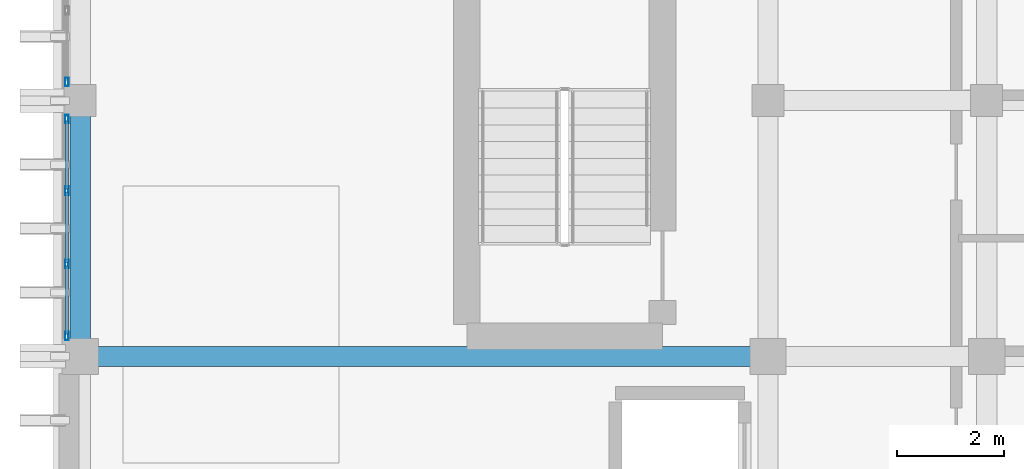
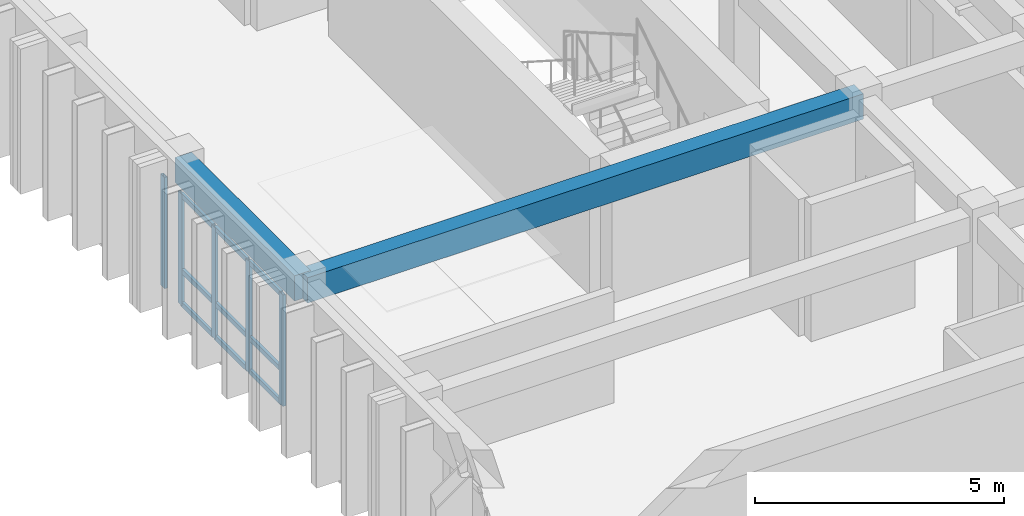
# One storey, part 11 of 53: 14 members, 2 beams, 2 elements without a shape of their own.
"""IFC4 building model written with IfcOpenShell, lengths in metres."""

from ifc_helpers import new_model, si_unit, direction, frame, origin, origin_2d, place, context, subcontext, project, spatial, rectangle, hollow_rectangle, extrude, material, layer, layer_set, material_profile, profile_set, type_object, element, aggregate, save


model = new_model("IFC4")

# Units and contexts
model_context = context("Model", 3, precision=1e-05, world=origin(), true_north=direction((0.0, 1.0)))
body_context = subcontext(model_context, "Body", "Model", "MODEL_VIEW")
ifc_project = project(units=[si_unit("LENGTHUNIT", "METRE"), si_unit("AREAUNIT", "SQUARE_METRE"), si_unit("VOLUMEUNIT", "CUBIC_METRE"), si_unit("PLANEANGLEUNIT", "RADIAN"), si_unit("MASSUNIT", "GRAM", prefix="KILO")], contexts=[model_context])

# Site, building, storey
site_placement = place(None, origin())
site = spatial("IfcSite", under=ifc_project, at=site_placement, CompositionType="ELEMENT")
building_placement = place(site_placement, origin())
building = spatial("IfcBuilding", under=site, at=building_placement, Name="Nakhvara Creek Congress Hotel", CompositionType="ELEMENT")
storey_placement = place(building_placement, frame((0.0, 0.0, 35.39990234375)))
storey = spatial("IfcBuildingStorey", under=building, at=storey_placement, Name="L08", CompositionType="ELEMENT", Elevation=35.39990234375)

# Beams
ifc_material_1 = material(Name="Concrete C40/50", Category="concrete")
ifc_material_profile_1 = material_profile(ifc_material_1, rectangle(XDim=0.3798828125, YDim=0.6201171875, at=origin_2d()), Name="RC-BM 380x620", Category="LoadBearing")
ifc_profile_set_1 = profile_set([ifc_material_profile_1], Name="Concrete C40/50")
beam_type = type_object("IfcBeamType", Name="BM-RC-380X620", PredefinedType="BEAM", material=ifc_profile_set_1)
beam_1_placement = place(storey_placement, frame((149.449951171875, 76.800048828125, 3.050048828125), z_axis=(1.0, 0.0, 0.0), x_axis=(0.0, 1.0, 0.0)))
element("IfcBeam", 1, at=beam_1_placement, inside=storey, type_object=beam_type, Name="Beam B10-L08-2435", PredefinedType="BEAM", context=body_context, shape_type="SweptSolid", body=[
    extrude(rectangle(XDim=0.3798828125, YDim=0.6201171875, at=origin_2d()), origin(), (0.0, 0.0, 1.0), 12.900146484375),
])
beam_2_placement = place(storey_placement, frame((149.449951171875, 76.800048828125, 3.050048828125), z_axis=(0.0, 1.0, 0.0), x_axis=(-1.0, 0.0, 0.0)))
element("IfcBeam", 2, at=beam_2_placement, inside=storey, type_object=beam_type, Name="Beam B10-L08-2437", PredefinedType="BEAM", context=body_context, shape_type="SweptSolid", body=[
    extrude(rectangle(XDim=0.3798828125, YDim=0.6201171875, at=origin_2d()), origin(), (0.0, 0.0, 1.0), 4.800048828125),
])

# Curtain wall, members
ifc_material_2 = material(Name="Bronze-anodised aluminium AW-6063-T6 and double-silver low-E glass", Category="aluminium")
ifc_layer = layer(ifc_material_2, 0.199951171875)
ifc_layer_set = layer_set([ifc_layer], Name="Bronze-anodised aluminium AW-6063-T6 and double-silver low-E glass")
curtain_wall_type = type_object("IfcCurtainWallType", Name="CW-HTL-UNIT", PredefinedType="USERDEFINED", material=ifc_layer_set)
curtain_wall_1_placement = place(storey_placement, origin())
curtain_wall_1 = element("IfcCurtainWall", 3, at=curtain_wall_1_placement, inside=storey, type_object=curtain_wall_type, Name="Curtain Wall CW282", ObjectType="UNITISED", PredefinedType="USERDEFINED")
ifc_material_3 = material(Name="Bronze-anodised aluminium AW-6063-T6", Category="aluminium")
ifc_material_profile_2 = material_profile(ifc_material_3, hollow_rectangle(XDim=0.06494140625, YDim=0.159912109375, WallThickness=0.00390625, at=origin_2d()), Name="ALU-MULL 65x160x4", Category="LoadBearing")
ifc_profile_set_2 = profile_set([ifc_material_profile_2], Name="Bronze-anodised aluminium AW-6063-T6")
member_type_1 = type_object("IfcMemberType", Name="CW-MULL-160", PredefinedType="MULLION", material=ifc_profile_set_2)
member_1_placement = place(storey_placement, frame((149.199951171875, 77.1875, 0.0), z_axis=(0.0, 0.0, 1.0), x_axis=(-1.0, 0.0, 0.0)))
member_1 = element("IfcMember", 4, at=member_1_placement, type_object=member_type_1, Name="CW282 mullion 1", PredefinedType="MULLION", context=body_context, shape_type="SweptSolid", body=[
    extrude(hollow_rectangle(XDim=0.06494140625, YDim=0.159912109375, WallThickness=0.00390625, at=origin_2d()), origin(), (0.0, 0.0, 1.0), 2.732177734375),
])
member_2_placement = place(storey_placement, frame((149.199951171875, 78.53173828125, 0.0), z_axis=(0.0, 0.0, 1.0), x_axis=(-1.0, 0.0, 0.0)))
member_2 = element("IfcMember", 5, at=member_2_placement, type_object=member_type_1, Name="CW282 mullion 2", PredefinedType="MULLION", context=body_context, shape_type="SweptSolid", body=[
    extrude(hollow_rectangle(XDim=0.06494140625, YDim=0.159912109375, WallThickness=0.00390625, at=origin_2d()), origin(), (0.0, 0.0, 1.0), 2.732177734375),
])
member_3_placement = place(storey_placement, frame((149.199951171875, 79.908447265625, 0.0), z_axis=(0.0, 0.0, 1.0), x_axis=(-1.0, 0.0, 0.0)))
member_3 = element("IfcMember", 6, at=member_3_placement, type_object=member_type_1, Name="CW282 mullion 3", PredefinedType="MULLION", context=body_context, shape_type="SweptSolid", body=[
    extrude(hollow_rectangle(XDim=0.06494140625, YDim=0.159912109375, WallThickness=0.00390625, at=origin_2d()), origin(), (0.0, 0.0, 1.0), 2.732177734375),
])
member_4_placement = place(storey_placement, frame((149.199951171875, 81.25244140625, 0.0), z_axis=(0.0, 0.0, 1.0), x_axis=(-1.0, 0.0, 0.0)))
member_4 = element("IfcMember", 7, at=member_4_placement, type_object=member_type_1, Name="CW282 mullion 4", PredefinedType="MULLION", context=body_context, shape_type="SweptSolid", body=[
    extrude(hollow_rectangle(XDim=0.06494140625, YDim=0.159912109375, WallThickness=0.00390625, at=origin_2d()), origin(), (0.0, 0.0, 1.0), 2.732177734375),
])

# Curtain wall, member
curtain_wall_2_placement = place(storey_placement, origin())
curtain_wall_2 = element("IfcCurtainWall", 8, at=curtain_wall_2_placement, inside=storey, type_object=curtain_wall_type, Name="Curtain Wall CW284", ObjectType="UNITISED", PredefinedType="USERDEFINED")
member_5_placement = place(storey_placement, frame((149.199951171875, 81.947509765625, 0.0), z_axis=(0.0, 0.0, 1.0), x_axis=(-1.0, 0.0, 0.0)))
member_5 = element("IfcMember", 9, at=member_5_placement, type_object=member_type_1, Name="CW284 mullion 1", PredefinedType="MULLION", context=body_context, shape_type="SweptSolid", body=[
    extrude(hollow_rectangle(XDim=0.06494140625, YDim=0.159912109375, WallThickness=0.00390625, at=origin_2d()), origin(), (0.0, 0.0, 1.0), 2.732177734375),
])
aggregate(curtain_wall_2, [member_5])

# Member
ifc_material_profile_3 = material_profile(ifc_material_3, hollow_rectangle(XDim=0.06494140625, YDim=0.1201171875, WallThickness=0.00390625, at=origin_2d()), Name="ALU-TRAN 65x120x4", Category="LoadBearing")
ifc_profile_set_3 = profile_set([ifc_material_profile_3], Name="Bronze-anodised aluminium AW-6063-T6")
member_type_2 = type_object("IfcMemberType", Name="CW-TRAN-120", PredefinedType="USERDEFINED", material=ifc_profile_set_3)
member_6_placement = place(storey_placement, frame((149.199951171875, 77.219970703125, 0.03271484375), z_axis=(0.0, 1.0, 0.0), x_axis=(-1.0, 0.0, 0.0)))
member_6 = element("IfcMember", 10, at=member_6_placement, type_object=member_type_2, Name="CW282 transom 1.1", ObjectType="TRANSOM", PredefinedType="USERDEFINED", context=body_context, shape_type="SweptSolid", body=[
    extrude(hollow_rectangle(XDim=0.06494140625, YDim=0.1201171875, WallThickness=0.00390625, at=origin_2d()), origin(), (0.0, 0.0, 1.0), 1.279296875),
])

member_7_placement = place(storey_placement, frame((149.199951171875, 77.219970703125, 0.85009765625), z_axis=(0.0, 1.0, 0.0), x_axis=(-1.0, 0.0, 0.0)))
member_7 = element("IfcMember", 11, at=member_7_placement, type_object=member_type_2, Name="CW282 transom 1.2", ObjectType="TRANSOM", PredefinedType="USERDEFINED", context=body_context, shape_type="SweptSolid", body=[
    extrude(hollow_rectangle(XDim=0.06494140625, YDim=0.1201171875, WallThickness=0.00390625, at=origin_2d()), origin(), (0.0, 0.0, 1.0), 1.279296875),
])

member_8_placement = place(storey_placement, frame((149.199951171875, 77.219970703125, 2.69970703125), z_axis=(0.0, 1.0, 0.0), x_axis=(-1.0, 0.0, 0.0)))
member_8 = element("IfcMember", 12, at=member_8_placement, type_object=member_type_2, Name="CW282 transom 1.3", ObjectType="TRANSOM", PredefinedType="USERDEFINED", context=body_context, shape_type="SweptSolid", body=[
    extrude(hollow_rectangle(XDim=0.06494140625, YDim=0.1201171875, WallThickness=0.00390625, at=origin_2d()), origin(), (0.0, 0.0, 1.0), 1.279296875),
])

member_9_placement = place(storey_placement, frame((149.199951171875, 78.564208984375, 0.03271484375), z_axis=(0.0, 1.0, 0.0), x_axis=(-1.0, 0.0, 0.0)))
member_9 = element("IfcMember", 13, at=member_9_placement, type_object=member_type_2, Name="CW282 transom 2.1", ObjectType="TRANSOM", PredefinedType="USERDEFINED", context=body_context, shape_type="SweptSolid", body=[
    extrude(hollow_rectangle(XDim=0.06494140625, YDim=0.1201171875, WallThickness=0.00390625, at=origin_2d()), origin(), (0.0, 0.0, 1.0), 1.3115234375),
])

member_10_placement = place(storey_placement, frame((149.199951171875, 78.564208984375, 0.85009765625), z_axis=(0.0, 1.0, 0.0), x_axis=(-1.0, 0.0, 0.0)))
member_10 = element("IfcMember", 14, at=member_10_placement, type_object=member_type_2, Name="CW282 transom 2.2", ObjectType="TRANSOM", PredefinedType="USERDEFINED", context=body_context, shape_type="SweptSolid", body=[
    extrude(hollow_rectangle(XDim=0.06494140625, YDim=0.1201171875, WallThickness=0.00390625, at=origin_2d()), origin(), (0.0, 0.0, 1.0), 1.3115234375),
])

member_11_placement = place(storey_placement, frame((149.199951171875, 78.564208984375, 2.69970703125), z_axis=(0.0, 1.0, 0.0), x_axis=(-1.0, 0.0, 0.0)))
member_11 = element("IfcMember", 15, at=member_11_placement, type_object=member_type_2, Name="CW282 transom 2.3", ObjectType="TRANSOM", PredefinedType="USERDEFINED", context=body_context, shape_type="SweptSolid", body=[
    extrude(hollow_rectangle(XDim=0.06494140625, YDim=0.1201171875, WallThickness=0.00390625, at=origin_2d()), origin(), (0.0, 0.0, 1.0), 1.3115234375),
])

member_12_placement = place(storey_placement, frame((149.199951171875, 79.94091796875, 0.03271484375), z_axis=(0.0, 1.0, 0.0), x_axis=(-1.0, 0.0, 0.0)))
member_12 = element("IfcMember", 16, at=member_12_placement, type_object=member_type_2, Name="CW282 transom 3.1", ObjectType="TRANSOM", PredefinedType="USERDEFINED", context=body_context, shape_type="SweptSolid", body=[
    extrude(hollow_rectangle(XDim=0.06494140625, YDim=0.1201171875, WallThickness=0.00390625, at=origin_2d()), origin(), (0.0, 0.0, 1.0), 1.279052734375),
])

member_13_placement = place(storey_placement, frame((149.199951171875, 79.94091796875, 0.85009765625), z_axis=(0.0, 1.0, 0.0), x_axis=(-1.0, 0.0, 0.0)))
member_13 = element("IfcMember", 17, at=member_13_placement, type_object=member_type_2, Name="CW282 transom 3.2", ObjectType="TRANSOM", PredefinedType="USERDEFINED", context=body_context, shape_type="SweptSolid", body=[
    extrude(hollow_rectangle(XDim=0.06494140625, YDim=0.1201171875, WallThickness=0.00390625, at=origin_2d()), origin(), (0.0, 0.0, 1.0), 1.279052734375),
])

member_14_placement = place(storey_placement, frame((149.199951171875, 79.94091796875, 2.69970703125), z_axis=(0.0, 1.0, 0.0), x_axis=(-1.0, 0.0, 0.0)))
member_14 = element("IfcMember", 18, at=member_14_placement, type_object=member_type_2, Name="CW282 transom 3.3", ObjectType="TRANSOM", PredefinedType="USERDEFINED", context=body_context, shape_type="SweptSolid", body=[
    extrude(hollow_rectangle(XDim=0.06494140625, YDim=0.1201171875, WallThickness=0.00390625, at=origin_2d()), origin(), (0.0, 0.0, 1.0), 1.279052734375),
])

aggregate(curtain_wall_1, [member_1, member_2, member_3, member_4, member_6, member_7, member_8, member_9, member_10, member_11, member_12, member_13, member_14])

save(model, "model.ifc")
